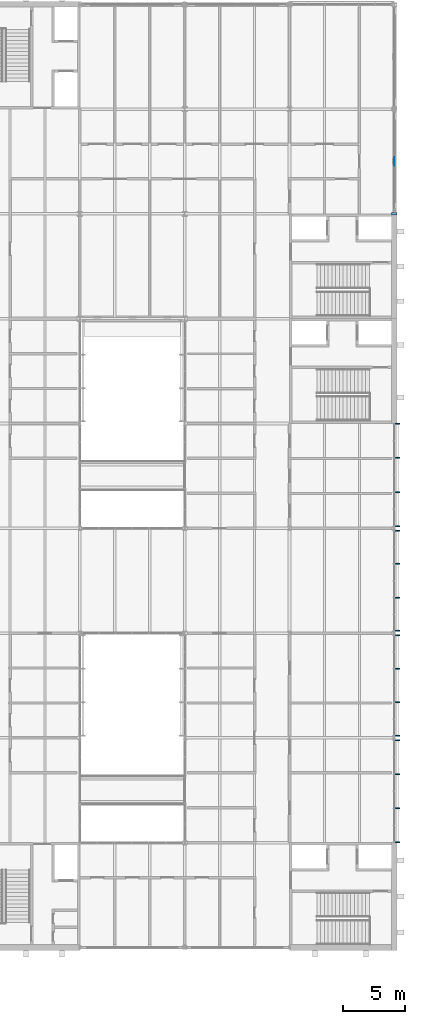
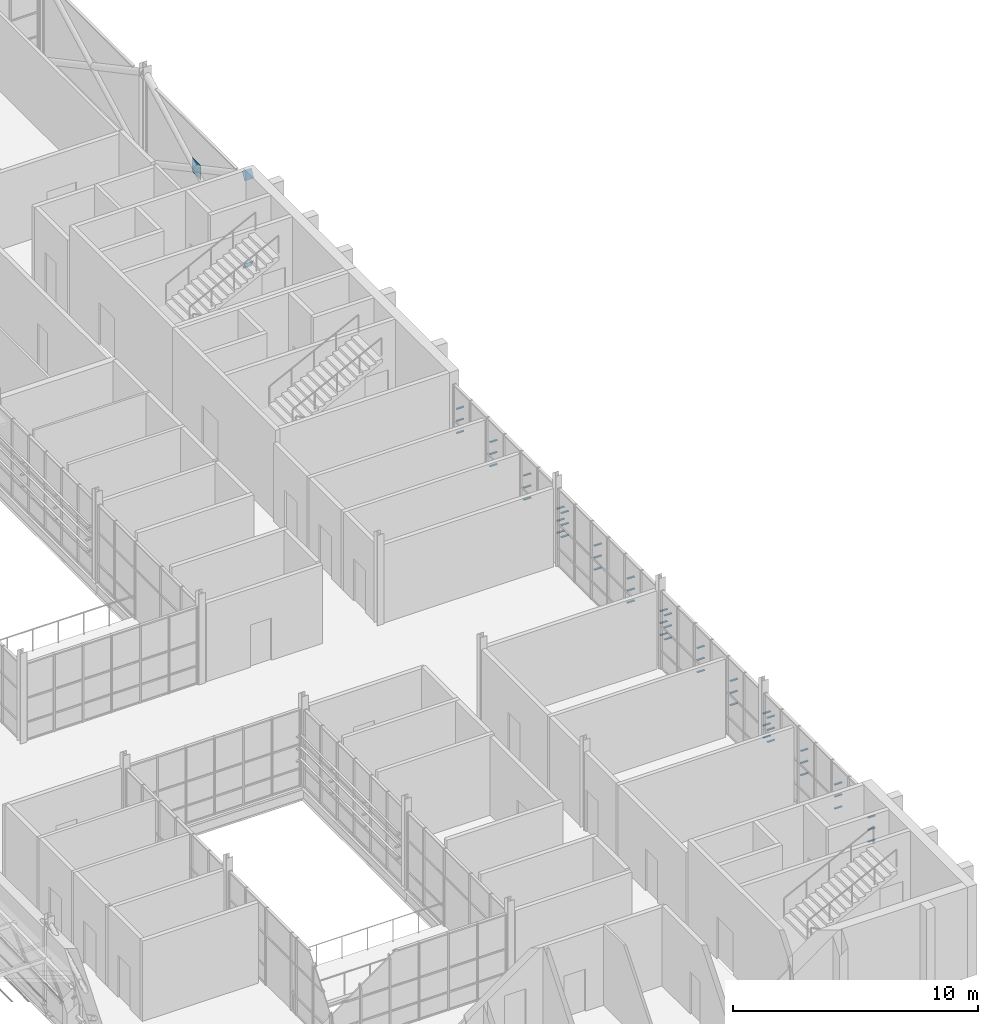
# One storey, part 113 of 129: 51 discrete accessories.
"""IFC4 building model written with IfcOpenShell, lengths in metres."""

from ifc_helpers import new_model, si_unit, direction, frame, origin, origin_2d, place, context, subcontext, project, spatial, rectangle, extrude, material, material_profile, profile_set, type_object, element, save


model = new_model("IFC4")

# Units and contexts
model_context = context("Model", 3, precision=1e-05, world=origin(), true_north=direction((0.0, 1.0)))
body_context = subcontext(model_context, "Body", "Model", "MODEL_VIEW")
ifc_project = project(units=[si_unit("LENGTHUNIT", "METRE"), si_unit("AREAUNIT", "SQUARE_METRE"), si_unit("VOLUMEUNIT", "CUBIC_METRE"), si_unit("PLANEANGLEUNIT", "RADIAN"), si_unit("MASSUNIT", "GRAM", prefix="KILO")], contexts=[model_context])

# Site, building, storey
site_placement = place(None, origin())
site = spatial("IfcSite", under=ifc_project, at=site_placement, CompositionType="ELEMENT")
building_placement = place(site_placement, origin())
building = spatial("IfcBuilding", under=site, at=building_placement, Name="Ardhachandra Cancer Care Centre", CompositionType="ELEMENT")
storey_placement = place(building_placement, frame((0.0, 0.0, 4.5)))
storey = spatial("IfcBuildingStorey", under=building, at=storey_placement, Name="L01", CompositionType="ELEMENT", Elevation=4.5)

# Discrete accessories
ifc_material_1 = material(Name="Steel E250 (IS 2062)", Category="steel")
ifc_material_profile_1 = material_profile(ifc_material_1, rectangle(XDim=0.423828125, YDim=0.423828125, at=origin_2d()), Name="PL 424x424x20")
ifc_profile_set_1 = profile_set([ifc_material_profile_1], Name="Steel E250 (IS 2062)")
discrete_accessory_type_1 = type_object("IfcDiscreteAccessoryType", Name="Brace end plate 424 x 424 x 20", PredefinedType="BRACKET", material=ifc_profile_set_1)
discrete_accessory_1_placement = place(storey_placement, frame((145.199951171875, 88.199951171875, -0.39990234375), z_axis=(0.0, 0.884384752847, 0.466758619558), x_axis=(-1.0, 0.0, 0.0)))
element("IfcDiscreteAccessory", 1, at=discrete_accessory_1_placement, inside=storey, type_object=discrete_accessory_type_1, Name="Brace end plate V5-Y1452-882 L01 A0", PredefinedType="BRACKET", context=body_context, shape_type="SweptSolid", body=[
    extrude(rectangle(XDim=0.423828125, YDim=0.423828125, at=origin_2d()), origin(), (0.0, 0.0, 1.0), 0.019775390625),
])
discrete_accessory_2_placement = place(storey_placement, frame((145.199951171875, 88.199951171875, 4.10009765625), z_axis=(0.0, 0.879291966537, -0.476283148541), x_axis=(-1.0, 0.0, 0.0)))
element("IfcDiscreteAccessory", 2, at=discrete_accessory_2_placement, inside=storey, type_object=discrete_accessory_type_1, Name="Brace end plate V5-Y1452-882 L01 B21", PredefinedType="BRACKET", context=body_context, shape_type="SweptSolid", body=[
    extrude(rectangle(XDim=0.423828125, YDim=0.423828125, at=origin_2d()), origin(), (0.0, 0.0, 1.0), 0.02001953125),
])
ifc_material_2 = material(Name="Steel E250 (IS 2062)", Category="steel")
ifc_material_profile_2 = material_profile(ifc_material_2, rectangle(XDim=0.699951171875, YDim=0.699951171875, at=origin_2d()), Name="PL 700x700x20")
ifc_profile_set_2 = profile_set([ifc_material_profile_2], Name="Steel E250 (IS 2062)")
discrete_accessory_type_2 = type_object("IfcDiscreteAccessoryType", Name="Brace node plate 700 x 700 x 20", PredefinedType="BRACKET", material=ifc_profile_set_2)
discrete_accessory_3_placement = place(storey_placement, frame((145.18994140625, 92.39990234375, 1.85009765625), z_axis=(1.0, 0.0, 0.0), x_axis=(0.0, 1.0, 0.0)))
element("IfcDiscreteAccessory", 3, at=discrete_accessory_3_placement, inside=storey, type_object=discrete_accessory_type_2, Name="Brace node plate V5-Y1452-882 L01", PredefinedType="BRACKET", context=body_context, shape_type="SweptSolid", body=[
    extrude(rectangle(XDim=0.699951171875, YDim=0.699951171875, at=origin_2d()), origin(), (0.0, 0.0, 1.0), 0.02001953125),
])
ifc_material_3 = material(Name="Galvanised flat steel (Steel E250 (IS 2062))", Category="steel")
discrete_accessory_type_3 = type_object("IfcDiscreteAccessoryType", Name="Louvre bracket 80 x 350", PredefinedType="BRACKET", material=ifc_material_3)
for number, where, z_axis, x_axis, name in (
    (4, (145.455078125, 37.830078125, 1.38427734375), (0.0, 0.0, 1.0), (0.0, 1.0, 0.0), "Louvre bracket L01/e/0145200_0037800 1.1"),
    (5, (145.455078125, 40.5517578125, 1.38427734375), (0.0, 0.0, 1.0), (0.0, 1.0, 0.0), "Louvre bracket L01/e/0145200_0037800 1.2"),
    (6, (145.455078125, 43.30322265625, 1.38427734375), (0.0, 0.0, 1.0), (0.0, 1.0, 0.0), "Louvre bracket L01/e/0145200_0037800 1.3"),
    (7, (145.455078125, 46.02490234375, 1.38427734375), (0.0, 0.0, 1.0), (0.0, 1.0, 0.0), "Louvre bracket L01/e/0145200_0037800 1.4"),
    (8, (145.455078125, 37.830078125, 1.984375), (0.0, 0.0, 1.0), (0.0, 1.0, 0.0), "Louvre bracket L01/e/0145200_0037800 2.1"),
    (9, (145.455078125, 40.5517578125, 1.984375), (0.0, 0.0, 1.0), (0.0, 1.0, 0.0), "Louvre bracket L01/e/0145200_0037800 2.2"),
    (10, (145.455078125, 43.30322265625, 1.984375), (0.0, 0.0, 1.0), (0.0, 1.0, 0.0), "Louvre bracket L01/e/0145200_0037800 2.3"),
    (11, (145.455078125, 46.02490234375, 1.984375), (0.0, 0.0, 1.0), (0.0, 1.0, 0.0), "Louvre bracket L01/e/0145200_0037800 2.4"),
    (12, (145.455078125, 37.830078125, 2.58447265625), (0.0, 0.0, 1.0), (0.0, 1.0, 0.0), "Louvre bracket L01/e/0145200_0037800 3.1"),
    (13, (145.455078125, 40.5517578125, 2.58447265625), (0.0, 0.0, 1.0), (0.0, 1.0, 0.0), "Louvre bracket L01/e/0145200_0037800 3.2"),
    (14, (145.455078125, 43.30322265625, 2.58447265625), (0.0, 0.0, 1.0), (0.0, 1.0, 0.0), "Louvre bracket L01/e/0145200_0037800 3.3"),
    (15, (145.455078125, 46.02490234375, 2.58447265625), (0.0, 0.0, 1.0), (0.0, 1.0, 0.0), "Louvre bracket L01/e/0145200_0037800 3.4"),
    (16, (145.455078125, 46.375, 1.38427734375), (0.0, 0.0, 1.0), (0.0, 1.0, 0.0), "Louvre bracket L01/e/0145200_0046200 1.1"),
    (17, (145.455078125, 49.04833984375, 1.38427734375), (0.0, 0.0, 1.0), (0.0, 1.0, 0.0), "Louvre bracket L01/e/0145200_0046200 1.2"),
    (18, (145.455078125, 51.751708984375, 1.38427734375), (0.0, 0.0, 1.0), (0.0, 1.0, 0.0), "Louvre bracket L01/e/0145200_0046200 1.3"),
    (19, (145.455078125, 54.425048828125, 1.38427734375), (0.0, 0.0, 1.0), (0.0, 1.0, 0.0), "Louvre bracket L01/e/0145200_0046200 1.4"),
    (20, (145.455078125, 46.375, 1.984375), (0.0, 0.0, 1.0), (0.0, 1.0, 0.0), "Louvre bracket L01/e/0145200_0046200 2.1"),
    (21, (145.455078125, 49.04833984375, 1.984375), (0.0, 0.0, 1.0), (0.0, 1.0, 0.0), "Louvre bracket L01/e/0145200_0046200 2.2"),
    (22, (145.455078125, 51.751708984375, 1.984375), (0.0, 0.0, 1.0), (0.0, 1.0, 0.0), "Louvre bracket L01/e/0145200_0046200 2.3"),
    (23, (145.455078125, 54.425048828125, 1.984375), (0.0, 0.0, 1.0), (0.0, 1.0, 0.0), "Louvre bracket L01/e/0145200_0046200 2.4"),
    (24, (145.455078125, 46.375, 2.58447265625), (0.0, 0.0, 1.0), (0.0, 1.0, 0.0), "Louvre bracket L01/e/0145200_0046200 3.1"),
    (25, (145.455078125, 49.04833984375, 2.58447265625), (0.0, 0.0, 1.0), (0.0, 1.0, 0.0), "Louvre bracket L01/e/0145200_0046200 3.2"),
    (26, (145.455078125, 51.751708984375, 2.58447265625), (0.0, 0.0, 1.0), (0.0, 1.0, 0.0), "Louvre bracket L01/e/0145200_0046200 3.3"),
    (27, (145.455078125, 54.425048828125, 2.58447265625), (0.0, 0.0, 1.0), (0.0, 1.0, 0.0), "Louvre bracket L01/e/0145200_0046200 3.4"),
    (28, (145.455078125, 54.77490234375, 1.38427734375), (0.0, 0.0, 1.0), (0.0, 1.0, 0.0), "Louvre bracket L01/e/0145200_0054600 1.1"),
    (29, (145.455078125, 57.4482421875, 1.38427734375), (0.0, 0.0, 1.0), (0.0, 1.0, 0.0), "Louvre bracket L01/e/0145200_0054600 1.2"),
    (30, (145.455078125, 60.151611328125, 1.38427734375), (0.0, 0.0, 1.0), (0.0, 1.0, 0.0), "Louvre bracket L01/e/0145200_0054600 1.3"),
    (31, (145.455078125, 62.824951171875, 1.38427734375), (0.0, 0.0, 1.0), (0.0, 1.0, 0.0), "Louvre bracket L01/e/0145200_0054600 1.4"),
    (32, (145.455078125, 54.77490234375, 1.984375), (0.0, 0.0, 1.0), (0.0, 1.0, 0.0), "Louvre bracket L01/e/0145200_0054600 2.1"),
    (33, (145.455078125, 57.4482421875, 1.984375), (0.0, 0.0, 1.0), (0.0, 1.0, 0.0), "Louvre bracket L01/e/0145200_0054600 2.2"),
    (34, (145.455078125, 60.151611328125, 1.984375), (0.0, 0.0, 1.0), (0.0, 1.0, 0.0), "Louvre bracket L01/e/0145200_0054600 2.3"),
    (35, (145.455078125, 62.824951171875, 1.984375), (0.0, 0.0, 1.0), (0.0, 1.0, 0.0), "Louvre bracket L01/e/0145200_0054600 2.4"),
    (36, (145.455078125, 54.77490234375, 2.58447265625), (0.0, 0.0, 1.0), (0.0, 1.0, 0.0), "Louvre bracket L01/e/0145200_0054600 3.1"),
    (37, (145.455078125, 57.4482421875, 2.58447265625), (0.0, 0.0, 1.0), (0.0, 1.0, 0.0), "Louvre bracket L01/e/0145200_0054600 3.2"),
    (38, (145.455078125, 60.151611328125, 2.58447265625), (0.0, 0.0, 1.0), (0.0, 1.0, 0.0), "Louvre bracket L01/e/0145200_0054600 3.3"),
    (39, (145.455078125, 62.824951171875, 2.58447265625), (0.0, 0.0, 1.0), (0.0, 1.0, 0.0), "Louvre bracket L01/e/0145200_0054600 3.4"),
    (40, (145.455078125, 63.175048828125, 1.38427734375), (0.0, 0.0, 1.0), (0.0, 1.0, 0.0), "Louvre bracket L01/e/0145200_0063000 1.1"),
    (41, (145.455078125, 65.896728515625, 1.38427734375), (0.0, 0.0, 1.0), (0.0, 1.0, 0.0), "Louvre bracket L01/e/0145200_0063000 1.2"),
    (42, (145.455078125, 68.6484375, 1.38427734375), (0.0, 0.0, 1.0), (0.0, 1.0, 0.0), "Louvre bracket L01/e/0145200_0063000 1.3"),
    (43, (145.455078125, 71.3701171875, 1.38427734375), (0.0, 0.0, 1.0), (0.0, 1.0, 0.0), "Louvre bracket L01/e/0145200_0063000 1.4"),
    (44, (145.455078125, 63.175048828125, 1.984375), (0.0, 0.0, 1.0), (0.0, 1.0, 0.0), "Louvre bracket L01/e/0145200_0063000 2.1"),
    (45, (145.455078125, 65.896728515625, 1.984375), (0.0, 0.0, 1.0), (0.0, 1.0, 0.0), "Louvre bracket L01/e/0145200_0063000 2.2"),
    (46, (145.455078125, 68.6484375, 1.984375), (0.0, 0.0, 1.0), (0.0, 1.0, 0.0), "Louvre bracket L01/e/0145200_0063000 2.3"),
    (47, (145.455078125, 71.3701171875, 1.984375), (0.0, 0.0, 1.0), (0.0, 1.0, 0.0), "Louvre bracket L01/e/0145200_0063000 2.4"),
    (48, (145.455078125, 63.175048828125, 2.58447265625), (0.0, 0.0, 1.0), (0.0, 1.0, 0.0), "Louvre bracket L01/e/0145200_0063000 3.1"),
    (49, (145.455078125, 65.896728515625, 2.58447265625), (0.0, 0.0, 1.0), (0.0, 1.0, 0.0), "Louvre bracket L01/e/0145200_0063000 3.2"),
    (50, (145.455078125, 68.6484375, 2.58447265625), (0.0, 0.0, 1.0), (0.0, 1.0, 0.0), "Louvre bracket L01/e/0145200_0063000 3.3"),
    (51, (145.455078125, 71.3701171875, 2.58447265625), (0.0, 0.0, 1.0), (0.0, 1.0, 0.0), "Louvre bracket L01/e/0145200_0063000 3.4"),
):
    element("IfcDiscreteAccessory", number, at=place(storey_placement, frame(where, z_axis=z_axis, x_axis=x_axis)), inside=storey, type_object=discrete_accessory_type_3, Name=name, PredefinedType="BRACKET", context=body_context, shape_type="SweptSolid", body=[
        extrude(rectangle(XDim=0.080078125, YDim=0.35009765625, at=origin_2d()), origin(), (0.0, 0.0, 1.0), 0.050048828125),
    ])

save(model, "model.ifc")
